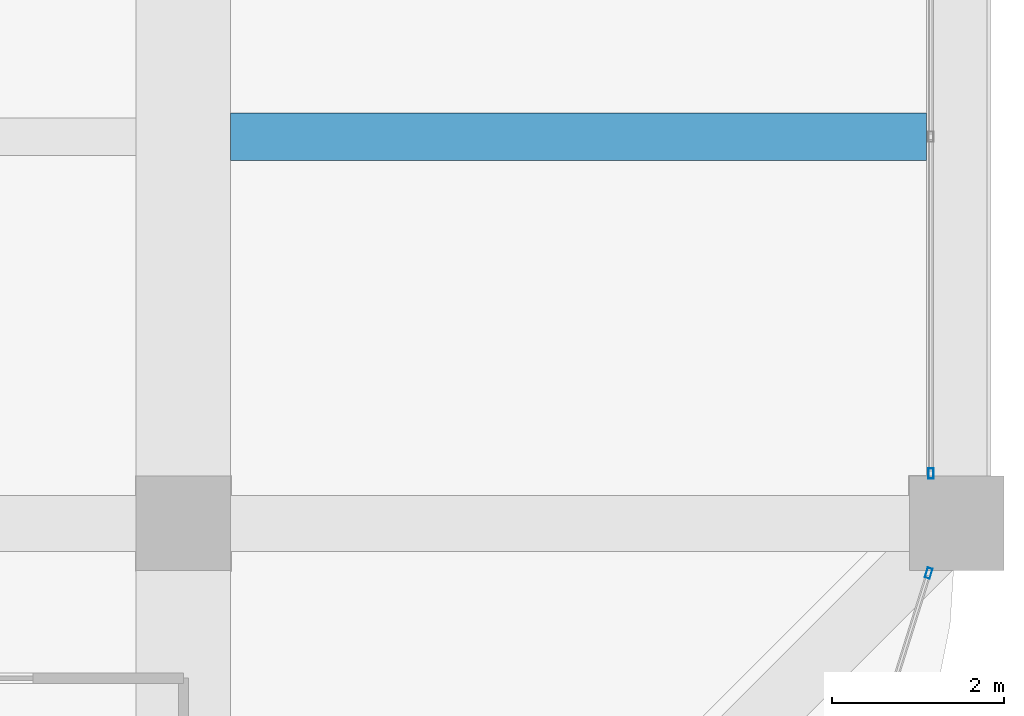
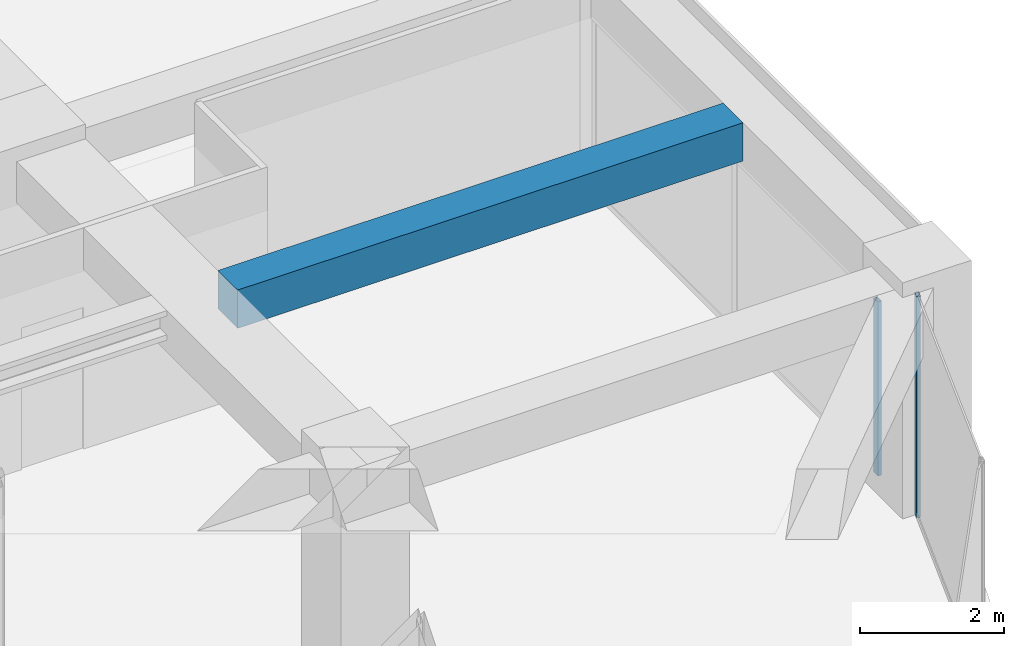
# One storey, part 22 of 44: 2 members, 1 beam, 2 elements without a shape of their own.
"""IFC4 building model written with IfcOpenShell, lengths in metres."""

from ifc_helpers import new_model, si_unit, direction, frame, origin, origin_2d, place, context, subcontext, project, spatial, rectangle, hollow_rectangle, extrude, material, material_profile, profile_set, type_object, element, aggregate, save


model = new_model("IFC4")

# Units and contexts
model_context = context("Model", 3, precision=1e-05, world=origin(), true_north=direction((0.0, 1.0)))
body_context = subcontext(model_context, "Body", "Model", "MODEL_VIEW")
ifc_project = project(units=[si_unit("LENGTHUNIT", "METRE"), si_unit("AREAUNIT", "SQUARE_METRE"), si_unit("VOLUMEUNIT", "CUBIC_METRE"), si_unit("PLANEANGLEUNIT", "RADIAN"), si_unit("MASSUNIT", "GRAM", prefix="KILO")], contexts=[model_context])

# Site, building, storey
site_placement = place(None, origin())
site = spatial("IfcSite", under=ifc_project, at=site_placement, CompositionType="ELEMENT")
building_placement = place(site_placement, origin())
building = spatial("IfcBuilding", under=site, at=building_placement, Name="Zorevar Civic Tower", CompositionType="ELEMENT")
storey_placement = place(building_placement, frame((0.0, 0.0, 283.39990234375)))
storey = spatial("IfcBuildingStorey", under=building, at=storey_placement, Name="L69", CompositionType="ELEMENT", Elevation=283.39990234375)

# Beam
ifc_material_1 = material(Name="Concrete C50/60", Category="concrete")
ifc_material_profile_1 = material_profile(ifc_material_1, rectangle(XDim=0.550048828125, YDim=0.64990234375, at=origin_2d()), Name="RC 550x650")
ifc_profile_set_1 = profile_set([ifc_material_profile_1], Name="Concrete C50/60")
beam_type = type_object("IfcBeamType", Name="Beam RC 550x650", PredefinedType="BEAM", material=ifc_profile_set_1)
beam_placement = place(storey_placement, frame((45.550048828125, 13.5, 3.425048828125), z_axis=(1.0, 0.0, 0.0), x_axis=(0.0, 1.0, 0.0)))
element("IfcBeam", 1, at=beam_placement, inside=storey, type_object=beam_type, Name="Secondary beam L70", PredefinedType="BEAM", context=body_context, shape_type="SweptSolid", body=[
    extrude(rectangle(XDim=0.550048828125, YDim=0.64990234375, at=origin_2d()), origin(), (0.0, 0.0, 1.0), 8.099853515625),
])

# Curtain wall, member
ifc_material_2 = material(Name="Dark grey solar-control glass in black aluminium frame", Category="aluminium")
curtain_wall_type = type_object("IfcCurtainWallType", Name="Curtain wall CW5 top zone", PredefinedType="NOTDEFINED", material=ifc_material_2)
curtain_wall_1_placement = place(storey_placement, origin())
curtain_wall_1 = element("IfcCurtainWall", 2, at=curtain_wall_1_placement, inside=storey, type_object=curtain_wall_type, Name="CW5 L69", PredefinedType="NOTDEFINED")
ifc_material_3 = material(Name="Aluminium, black anodised", Category="aluminium")
ifc_material_profile_2 = material_profile(ifc_material_3, hollow_rectangle(XDim=0.06005859375, YDim=0.1201171875, WallThickness=0.0029296875, at=origin_2d()), Name="AL 120x60x3")
ifc_profile_set_2 = profile_set([ifc_material_profile_2], Name="Aluminium, black anodised")
member_type = type_object("IfcMemberType", Name="CW5 mullion AL 120x60x3", PredefinedType="MULLION", material=ifc_profile_set_2)
member_1_placement = place(storey_placement, frame((53.699951171875, 9.580078125, 0.0), z_axis=(0.0, 0.0, 1.0), x_axis=(-1.0, 0.0, 0.0)))
member_1 = element("IfcMember", 3, at=member_1_placement, type_object=member_type, Name="CW5 mullion 1", PredefinedType="MULLION", context=body_context, shape_type="SweptSolid", body=[
    extrude(hollow_rectangle(XDim=0.06005859375, YDim=0.1201171875, WallThickness=0.0029296875, at=origin_2d()), origin(), (0.0, 0.0, 1.0), 2.9501953125),
])
aggregate(curtain_wall_1, [member_1])

curtain_wall_2_placement = place(storey_placement, origin())
curtain_wall_2 = element("IfcCurtainWall", 4, at=curtain_wall_2_placement, inside=storey, type_object=curtain_wall_type, Name="CW5 L69", PredefinedType="NOTDEFINED")
member_2_placement = place(storey_placement, frame((53.673583984375, 8.42138671875, 0.0), z_axis=(0.0, 0.0, 1.0), x_axis=(-0.954153437674, 0.299317920238, 0.0)))
member_2 = element("IfcMember", 5, at=member_2_placement, type_object=member_type, Name="CW5 mullion 2", PredefinedType="MULLION", context=body_context, shape_type="SweptSolid", body=[
    extrude(hollow_rectangle(XDim=0.06005859375, YDim=0.1201171875, WallThickness=0.0029296875, at=origin_2d()), origin(), (0.0, 0.0, 1.0), 3.75),
])
aggregate(curtain_wall_2, [member_2])

save(model, "model.ifc")
